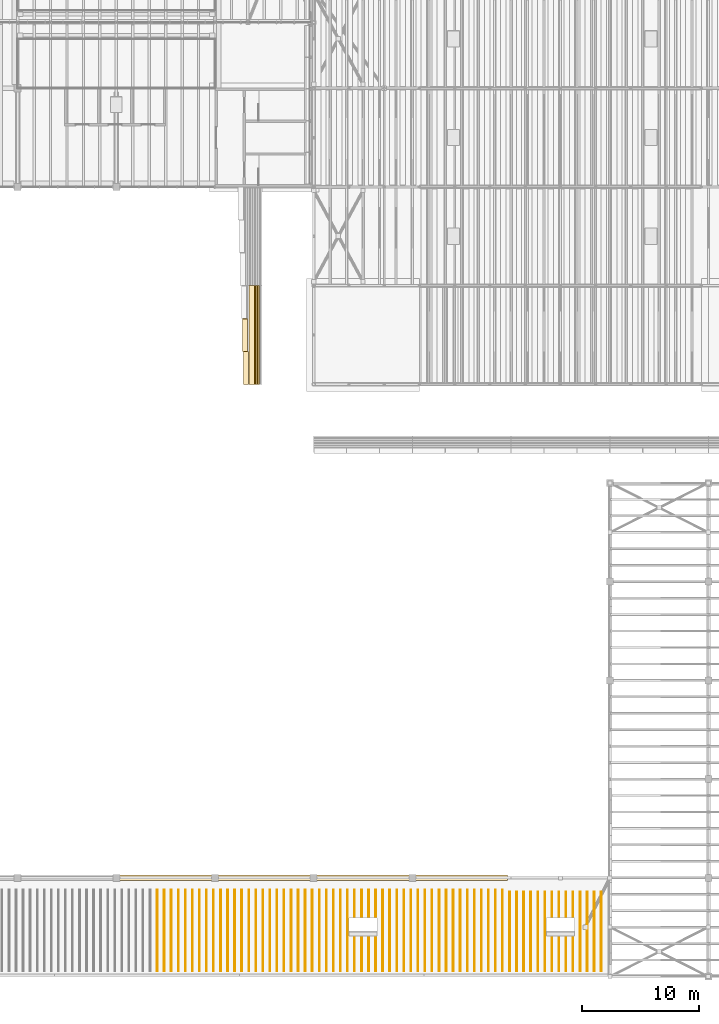
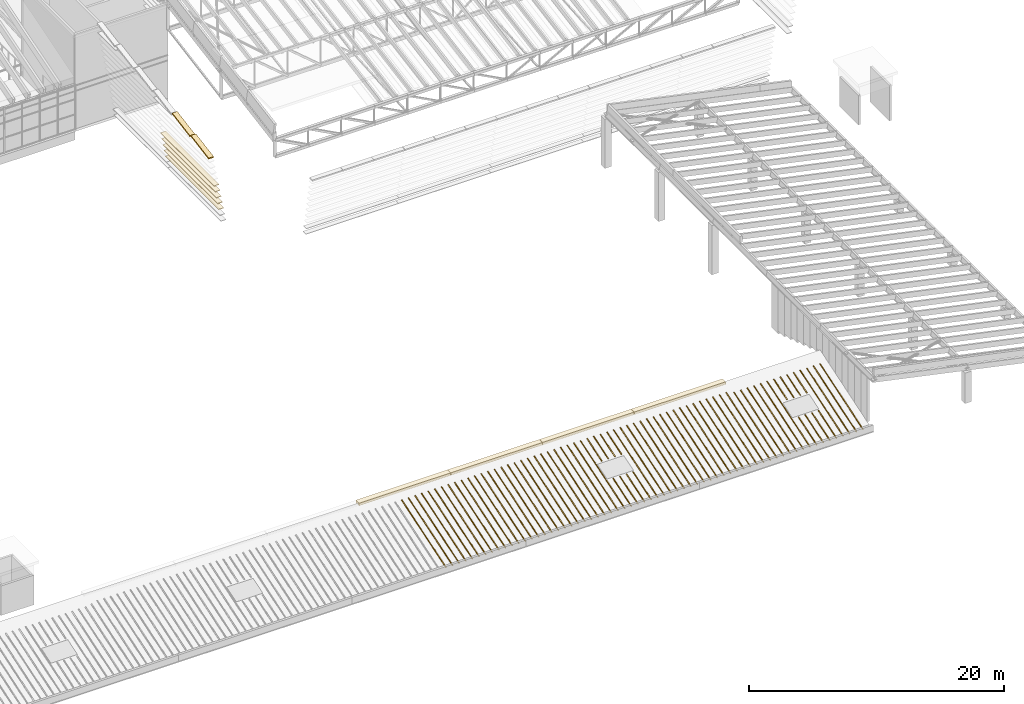
# One storey, part 74 of 91: 83 coverings.
"""IFC4 building model written with IfcOpenShell, lengths in metres."""

from ifc_helpers import new_model, si_unit, direction, frame, origin, origin_2d, place, context, subcontext, project, spatial, polyline, rectangle, outline, extrude, material, layer, layer_set, material_profile, profile_set, type_object, element, save


model = new_model("IFC4")

# Units and contexts
model_context = context("Model", 3, precision=1e-05, world=origin(), true_north=direction((0.0, 1.0)))
body_context = subcontext(model_context, "Body", "Model", "MODEL_VIEW")
ifc_project = project(units=[si_unit("LENGTHUNIT", "METRE"), si_unit("AREAUNIT", "SQUARE_METRE"), si_unit("VOLUMEUNIT", "CUBIC_METRE"), si_unit("PLANEANGLEUNIT", "RADIAN"), si_unit("MASSUNIT", "GRAM", prefix="KILO")], contexts=[model_context])

# Site, building, storey
site_placement = place(None, origin())
site = spatial("IfcSite", under=ifc_project, at=site_placement, CompositionType="ELEMENT")
building_placement = place(site_placement, origin())
building = spatial("IfcBuilding", under=site, at=building_placement, Name="Almond Square Museum", CompositionType="ELEMENT")
storey_placement = place(building_placement, frame((0.0, 0.0, 30.0)))
storey = spatial("IfcBuildingStorey", under=building, at=storey_placement, Name="L05", CompositionType="ELEMENT", Elevation=30.0)

# Coverings
ifc_material_1 = material(Name="Cedar timber louvre board", Category="wood")
ifc_material_profile_1 = material_profile(ifc_material_1, rectangle(XDim=0.449951171875, YDim=0.050048828125, at=origin_2d()))
ifc_profile_set_1 = profile_set([ifc_material_profile_1], Name="Cedar timber louvre board")
covering_type_1 = type_object("IfcCoveringType", Name="Louvre board 450 x 50", PredefinedType="CLADDING", material=ifc_profile_set_1)
for number, where, z_axis, x_axis, name in (
    (1, (101.9443359375, 50.39990234375, 1.300048828125), (0.0, 1.0, 0.0), (-1.0, 0.0, 0.0), "Louvre board W41.01"),
    (2, (101.838623046875, 50.39990234375, 1.89990234375), (0.0, 1.0, 0.0), (-1.0, 0.0, 0.0), "Louvre board W42.01"),
    (3, (101.732666015625, 50.39990234375, 2.5), (0.0, 1.0, 0.0), (-1.0, 0.0, 0.0), "Louvre board W43.01"),
    (4, (101.626953125, 50.39990234375, 3.10009765625), (0.0, 1.0, 0.0), (-1.0, 0.0, 0.0), "Louvre board W44.01"),
    (5, (101.521240234375, 50.39990234375, 3.699951171875), (0.0, 1.0, 0.0), (-1.0, 0.0, 0.0), "Louvre board W45.01"),
):
    element("IfcCovering", number, at=place(storey_placement, frame(where, z_axis=z_axis, x_axis=x_axis)), inside=storey, type_object=covering_type_1, Name=name, PredefinedType="CLADDING", context=body_context, shape_type="SweptSolid", body=[
        extrude(rectangle(XDim=0.449951171875, YDim=0.050048828125, at=origin_2d()), origin(), (0.0, 0.0, 1.0), 8.400146484375),
    ])
ifc_material_2 = material(Name="Cedar timber louvre board", Category="wood")
ifc_material_profile_2 = material_profile(ifc_material_2, rectangle(XDim=0.449951171875, YDim=0.139892578125, at=origin_2d()))
ifc_profile_set_2 = profile_set([ifc_material_profile_2], Name="Cedar timber louvre board")
covering_type_2 = type_object("IfcCoveringType", Name="Louvre skin fascia 450 x 140", PredefinedType="CLADDING", material=ifc_profile_set_2)
for number, where, z_axis, x_axis, name in (
    (6, (101.031005859375, 50.409912109375, 6.47998046875), (0.0, 0.984923430641, 0.172990854596), (-1.0, 0.0, 0.0), "Louvre skin fascia W01"),
    (7, (100.944580078125, 53.2099609375, 6.9697265625), (0.0, 0.984908689959, 0.173074759692), (-1.0, 0.0, 0.0), "Louvre skin fascia W02"),
):
    element("IfcCovering", number, at=place(storey_placement, frame(where, z_axis=z_axis, x_axis=x_axis)), inside=storey, type_object=covering_type_2, Name=name, PredefinedType="CLADDING", context=body_context, shape_type="SweptSolid", body=[
        extrude(rectangle(XDim=0.449951171875, YDim=0.139892578125, at=origin_2d()), origin(), (0.0, 0.0, 1.0), 2.822509765625),
    ])
ifc_material_3 = material(Name="Zinc standing seam cladding")
ifc_layer_1 = layer(ifc_material_3, 0.25)
ifc_layer_set_1 = layer_set([ifc_layer_1], Name="Zinc standing seam cladding")
covering_type_3 = type_object("IfcCoveringType", Name="Ridge cap, standing seam zinc", PredefinedType="CLADDING", material=ifc_layer_set_1)
for number, where, z_axis, x_axis, name in (
    (8, (94.199951171875, 8.39990234375, 2.609375), (0.0, 0.0, 1.0), (1.0, 0.0, 0.0), "Ridge cap 9"),
    (9, (102.514404296875, 8.39990234375, 2.609375), (0.0, 0.0, 1.0), (1.0, 0.0, 0.0), "Ridge cap 10"),
    (10, (110.82861328125, 8.39990234375, 2.609375), (0.0, 0.0, 1.0), (1.0, 0.0, 0.0), "Ridge cap 11"),
    (11, (119.142822265625, 8.39990234375, 2.609375), (0.0, 0.0, 1.0), (1.0, 0.0, 0.0), "Ridge cap 12"),
):
    element("IfcCovering", number, at=place(storey_placement, frame(where, z_axis=z_axis, x_axis=x_axis)), inside=storey, type_object=covering_type_3, Name=name, PredefinedType="CLADDING", context=body_context, shape_type="SweptSolid", body=[
        extrude(rectangle(XDim=8.294189453125, YDim=0.5, at=origin_2d()), origin(), (0.0, 0.0, 1.0), 0.25),
    ])
ifc_material_4 = material(Name="Zinc standing seam")
ifc_layer_2 = layer(ifc_material_4, 0.0400390625)
ifc_layer_set_2 = layer_set([ifc_layer_2], Name="Zinc standing seam")
covering_type_4 = type_object("IfcCoveringType", Name="Roof standing seam rib 60 x 40", PredefinedType="CLADDING", material=ifc_layer_set_2)
for number, where, z_axis, x_axis, name in (
    (12, (93.449951171875, 0.449951171875, 0.146240234375), (0.0, -0.30900221749, 0.951061317469), (1.0, 0.0, 0.0), "Roof standing seam rib"),
    (13, (94.050048828125, 0.449951171875, 0.146240234375), (0.0, -0.30900221749, 0.951061317469), (1.0, 0.0, 0.0), "Roof standing seam rib"),
    (14, (94.64990234375, 0.449951171875, 0.146240234375), (0.0, -0.30900221749, 0.951061317469), (1.0, 0.0, 0.0), "Roof standing seam rib"),
    (15, (95.25, 0.449951171875, 0.146240234375), (0.0, -0.30900221749, 0.951061317469), (1.0, 0.0, 0.0), "Roof standing seam rib"),
):
    element("IfcCovering", number, at=place(storey_placement, frame(where, z_axis=z_axis, x_axis=x_axis)), inside=storey, type_object=covering_type_4, Name=name, PredefinedType="CLADDING", context=body_context, shape_type="SweptSolid", body=[
        extrude(outline(polyline([(0.0, 0.0), (0.06005859375, 0.0), (0.06005859375, 7.307574227041238), (0.0, 7.307574227041238), (0.0, 0.0)])), origin(), (0.0, 0.0, 1.0), 0.0400390625),
    ])
covering_1_placement = place(storey_placement, frame((95.85009765625, 0.449951171875, 0.146240234375), z_axis=(0.0, -0.30900221749, 0.951061317469), x_axis=(1.0, 0.0, 0.0)))
element("IfcCovering", 16, at=covering_1_placement, inside=storey, type_object=covering_type_4, Name="Roof standing seam rib", PredefinedType="CLADDING", context=body_context, shape_type="SweptSolid", body=[
    extrude(outline(polyline([(0.0, 0.0), (0.059814453125, 0.0), (0.059814453125, 7.307574227041239), (0.0, 7.307574227041239), (0.0, 0.0)])), origin(), (0.0, 0.0, 1.0), 0.0400390625),
])
for number, where, z_axis, x_axis, name in (
    (17, (96.449951171875, 0.449951171875, 0.146240234375), (0.0, -0.30900221749, 0.951061317469), (1.0, 0.0, 0.0), "Roof standing seam rib"),
    (18, (97.050048828125, 0.449951171875, 0.146240234375), (0.0, -0.30900221749, 0.951061317469), (1.0, 0.0, 0.0), "Roof standing seam rib"),
    (19, (97.64990234375, 0.449951171875, 0.146240234375), (0.0, -0.30900221749, 0.951061317469), (1.0, 0.0, 0.0), "Roof standing seam rib"),
    (20, (98.25, 0.449951171875, 0.146240234375), (0.0, -0.30900221749, 0.951061317469), (1.0, 0.0, 0.0), "Roof standing seam rib"),
):
    element("IfcCovering", number, at=place(storey_placement, frame(where, z_axis=z_axis, x_axis=x_axis)), inside=storey, type_object=covering_type_4, Name=name, PredefinedType="CLADDING", context=body_context, shape_type="SweptSolid", body=[
        extrude(outline(polyline([(0.0, 0.0), (0.06005859375, 0.0), (0.06005859375, 7.307574227041238), (0.0, 7.307574227041238), (0.0, 0.0)])), origin(), (0.0, 0.0, 1.0), 0.0400390625),
    ])
covering_2_placement = place(storey_placement, frame((98.85009765625, 0.449951171875, 0.146240234375), z_axis=(0.0, -0.30900221749, 0.951061317469), x_axis=(1.0, 0.0, 0.0)))
element("IfcCovering", 21, at=covering_2_placement, inside=storey, type_object=covering_type_4, Name="Roof standing seam rib", PredefinedType="CLADDING", context=body_context, shape_type="SweptSolid", body=[
    extrude(outline(polyline([(0.0, 0.0), (0.059814453125, 0.0), (0.059814453125, 7.307574227041239), (0.0, 7.307574227041239), (0.0, 0.0)])), origin(), (0.0, 0.0, 1.0), 0.0400390625),
])
for number, where, z_axis, x_axis, name in (
    (22, (99.449951171875, 0.449951171875, 0.146240234375), (0.0, -0.30900221749, 0.951061317469), (1.0, 0.0, 0.0), "Roof standing seam rib"),
    (23, (100.050048828125, 0.449951171875, 0.146240234375), (0.0, -0.30900221749, 0.951061317469), (1.0, 0.0, 0.0), "Roof standing seam rib"),
    (24, (100.64990234375, 0.449951171875, 0.146240234375), (0.0, -0.30900221749, 0.951061317469), (1.0, 0.0, 0.0), "Roof standing seam rib"),
    (25, (101.25, 0.449951171875, 0.146240234375), (0.0, -0.30900221749, 0.951061317469), (1.0, 0.0, 0.0), "Roof standing seam rib"),
):
    element("IfcCovering", number, at=place(storey_placement, frame(where, z_axis=z_axis, x_axis=x_axis)), inside=storey, type_object=covering_type_4, Name=name, PredefinedType="CLADDING", context=body_context, shape_type="SweptSolid", body=[
        extrude(outline(polyline([(0.0, 0.0), (0.06005859375, 0.0), (0.06005859375, 7.307574227041238), (0.0, 7.307574227041238), (0.0, 0.0)])), origin(), (0.0, 0.0, 1.0), 0.0400390625),
    ])
covering_3_placement = place(storey_placement, frame((101.85009765625, 0.449951171875, 0.146240234375), z_axis=(0.0, -0.30900221749, 0.951061317469), x_axis=(1.0, 0.0, 0.0)))
element("IfcCovering", 26, at=covering_3_placement, inside=storey, type_object=covering_type_4, Name="Roof standing seam rib", PredefinedType="CLADDING", context=body_context, shape_type="SweptSolid", body=[
    extrude(outline(polyline([(0.0, 0.0), (0.059814453125, 0.0), (0.059814453125, 7.307574227041239), (0.0, 7.307574227041239), (0.0, 0.0)])), origin(), (0.0, 0.0, 1.0), 0.0400390625),
])
for number, where, z_axis, x_axis, name in (
    (27, (102.449951171875, 0.449951171875, 0.146240234375), (0.0, -0.30900221749, 0.951061317469), (1.0, 0.0, 0.0), "Roof standing seam rib"),
    (28, (103.050048828125, 0.449951171875, 0.146240234375), (0.0, -0.30900221749, 0.951061317469), (1.0, 0.0, 0.0), "Roof standing seam rib"),
    (29, (103.64990234375, 0.449951171875, 0.146240234375), (0.0, -0.30900221749, 0.951061317469), (1.0, 0.0, 0.0), "Roof standing seam rib"),
    (30, (104.25, 0.449951171875, 0.146240234375), (0.0, -0.30900221749, 0.951061317469), (1.0, 0.0, 0.0), "Roof standing seam rib"),
):
    element("IfcCovering", number, at=place(storey_placement, frame(where, z_axis=z_axis, x_axis=x_axis)), inside=storey, type_object=covering_type_4, Name=name, PredefinedType="CLADDING", context=body_context, shape_type="SweptSolid", body=[
        extrude(outline(polyline([(0.0, 0.0), (0.06005859375, 0.0), (0.06005859375, 7.307574227041238), (0.0, 7.307574227041238), (0.0, 0.0)])), origin(), (0.0, 0.0, 1.0), 0.0400390625),
    ])
covering_4_placement = place(storey_placement, frame((104.85009765625, 0.449951171875, 0.146240234375), z_axis=(0.0, -0.30900221749, 0.951061317469), x_axis=(1.0, 0.0, 0.0)))
element("IfcCovering", 31, at=covering_4_placement, inside=storey, type_object=covering_type_4, Name="Roof standing seam rib", PredefinedType="CLADDING", context=body_context, shape_type="SweptSolid", body=[
    extrude(outline(polyline([(0.0, 0.0), (0.059814453125, 0.0), (0.059814453125, 7.307574227041239), (0.0, 7.307574227041239), (0.0, 0.0)])), origin(), (0.0, 0.0, 1.0), 0.0400390625),
])
for number, where, z_axis, x_axis, name in (
    (32, (105.449951171875, 0.449951171875, 0.146240234375), (0.0, -0.30900221749, 0.951061317469), (1.0, 0.0, 0.0), "Roof standing seam rib"),
    (33, (106.050048828125, 0.449951171875, 0.146240234375), (0.0, -0.30900221749, 0.951061317469), (1.0, 0.0, 0.0), "Roof standing seam rib"),
    (34, (106.64990234375, 0.449951171875, 0.146240234375), (0.0, -0.30900221749, 0.951061317469), (1.0, 0.0, 0.0), "Roof standing seam rib"),
    (35, (107.25, 0.449951171875, 0.146240234375), (0.0, -0.30900221749, 0.951061317469), (1.0, 0.0, 0.0), "Roof standing seam rib"),
):
    element("IfcCovering", number, at=place(storey_placement, frame(where, z_axis=z_axis, x_axis=x_axis)), inside=storey, type_object=covering_type_4, Name=name, PredefinedType="CLADDING", context=body_context, shape_type="SweptSolid", body=[
        extrude(outline(polyline([(0.0, 0.0), (0.06005859375, 0.0), (0.06005859375, 7.307574227041238), (0.0, 7.307574227041238), (0.0, 0.0)])), origin(), (0.0, 0.0, 1.0), 0.0400390625),
    ])
covering_5_placement = place(storey_placement, frame((107.85009765625, 0.449951171875, 0.146240234375), z_axis=(0.0, -0.30900221749, 0.951061317469), x_axis=(1.0, 0.0, 0.0)))
element("IfcCovering", 36, at=covering_5_placement, inside=storey, type_object=covering_type_4, Name="Roof standing seam rib", PredefinedType="CLADDING", context=body_context, shape_type="SweptSolid", body=[
    extrude(outline(polyline([(0.0, 0.0), (0.059814453125, 0.0), (0.059814453125, 7.307574227041239), (0.0, 7.307574227041239), (0.0, 0.0)])), origin(), (0.0, 0.0, 1.0), 0.0400390625),
])
for number, where, z_axis, x_axis, name in (
    (37, (108.449951171875, 0.449951171875, 0.146240234375), (0.0, -0.30900221749, 0.951061317469), (1.0, 0.0, 0.0), "Roof standing seam rib"),
    (38, (109.050048828125, 0.449951171875, 0.146240234375), (0.0, -0.30900221749, 0.951061317469), (1.0, 0.0, 0.0), "Roof standing seam rib"),
):
    element("IfcCovering", number, at=place(storey_placement, frame(where, z_axis=z_axis, x_axis=x_axis)), inside=storey, type_object=covering_type_4, Name=name, PredefinedType="CLADDING", context=body_context, shape_type="SweptSolid", body=[
        extrude(outline(polyline([(0.0, 0.0), (0.06005859375, 0.0), (0.06005859375, 7.307574227041238), (0.0, 7.307574227041238), (0.0, 0.0)])), origin(), (0.0, 0.0, 1.0), 0.0400390625),
    ])
covering_6_placement = place(storey_placement, frame((109.699951171875, 5.10009765625, 1.656982421875), z_axis=(0.000379539092, -0.309004860118, 0.951060383137), x_axis=(0.999999927975, 0.000117279432, -0.00036096462)))
element("IfcCovering", 39, at=covering_6_placement, inside=storey, type_object=covering_type_4, Name="Roof standing seam rib", PredefinedType="CLADDING", context=body_context, shape_type="SweptSolid", body=[
    extrude(outline(polyline([(0.0, 0.0), (0.010009764904046994, 0.0), (0.010009730614830565, 2.4181770994561975), (-0.050048858809451396, 2.4181770994561975), (-0.05004886658086134, -4.889397127556355), (0.010009722843420617, -4.889397127556355), (0.010009718275587305, -1.892635596486676), (-4.662845968830798e-08, -1.892635596486676), (0.0, 0.0)])), origin(), (0.0, 0.0, 1.0), 0.0400390625),
])
covering_7_placement = place(storey_placement, frame((110.25, 0.449951171875, 0.146240234375), z_axis=(0.0, -0.309008701899, 0.951059210644), x_axis=(1.0, 0.0, 0.0)))
element("IfcCovering", 40, at=covering_7_placement, inside=storey, type_object=covering_type_4, Name="Roof standing seam rib", PredefinedType="CLADDING", context=body_context, shape_type="SweptSolid", body=[
    extrude(outline(polyline([(0.0, 0.0), (0.06005859375, 0.0), (0.06005859375, 2.9967615310938447), (0.0, 2.9967615310938447), (0.0, 0.0)])), origin(), (0.0, 0.0, 1.0), 0.0400390625),
])
covering_8_placement = place(storey_placement, frame((110.25, 5.10009765625, 1.656982421875), z_axis=(0.0, -0.309040414274, 0.95104890639), x_axis=(1.0, 0.0, 0.0)))
element("IfcCovering", 41, at=covering_8_placement, inside=storey, type_object=covering_type_4, Name="Roof standing seam rib", PredefinedType="CLADDING", context=body_context, shape_type="SweptSolid", body=[
    extrude(outline(polyline([(0.0, 0.0), (0.06005859375, 0.0), (0.06005859375, 2.4181771011438533), (0.0, 2.4181771011438533), (0.0, 0.0)])), origin(), (0.0, 0.0, 1.0), 0.0400390625),
])
covering_9_placement = place(storey_placement, frame((110.85009765625, 0.449951171875, 0.146240234375), z_axis=(0.0, -0.309008701899, 0.951059210644), x_axis=(1.0, 0.0, 0.0)))
element("IfcCovering", 42, at=covering_9_placement, inside=storey, type_object=covering_type_4, Name="Roof standing seam rib", PredefinedType="CLADDING", context=body_context, shape_type="SweptSolid", body=[
    extrude(outline(polyline([(0.0, 0.0), (0.059814453125, 0.0), (0.059814453125, 2.996761531093845), (0.0, 2.996761531093845), (0.0, 0.0)])), origin(), (0.0, 0.0, 1.0), 0.0400390625),
])
covering_10_placement = place(storey_placement, frame((110.85009765625, 5.10009765625, 1.656982421875), z_axis=(0.0, -0.309040414274, 0.95104890639), x_axis=(1.0, 0.0, 0.0)))
element("IfcCovering", 43, at=covering_10_placement, inside=storey, type_object=covering_type_4, Name="Roof standing seam rib", PredefinedType="CLADDING", context=body_context, shape_type="SweptSolid", body=[
    extrude(outline(polyline([(0.0, 0.0), (0.059814453125, 0.0), (0.059814453125, 2.418177101143853), (0.0, 2.418177101143853), (0.0, 0.0)])), origin(), (0.0, 0.0, 1.0), 0.0400390625),
])
covering_11_placement = place(storey_placement, frame((111.449951171875, 0.449951171875, 0.146240234375), z_axis=(0.0, -0.309008701899, 0.951059210644), x_axis=(1.0, 0.0, 0.0)))
element("IfcCovering", 44, at=covering_11_placement, inside=storey, type_object=covering_type_4, Name="Roof standing seam rib", PredefinedType="CLADDING", context=body_context, shape_type="SweptSolid", body=[
    extrude(outline(polyline([(0.0, 0.0), (0.06005859375, 0.0), (0.06005859375, 2.9967615310938447), (0.0, 2.9967615310938447), (0.0, 0.0)])), origin(), (0.0, 0.0, 1.0), 0.0400390625),
])
covering_12_placement = place(storey_placement, frame((111.449951171875, 5.10009765625, 1.656982421875), z_axis=(0.0, -0.309040414274, 0.95104890639), x_axis=(1.0, 0.0, 0.0)))
element("IfcCovering", 45, at=covering_12_placement, inside=storey, type_object=covering_type_4, Name="Roof standing seam rib", PredefinedType="CLADDING", context=body_context, shape_type="SweptSolid", body=[
    extrude(outline(polyline([(0.0, 0.0), (0.06005859375, 0.0), (0.06005859375, 2.4181771011438533), (0.0, 2.4181771011438533), (0.0, 0.0)])), origin(), (0.0, 0.0, 1.0), 0.0400390625),
])
covering_13_placement = place(storey_placement, frame((112.050048828125, 0.449951171875, 0.146240234375), z_axis=(0.0, -0.309008701899, 0.951059210644), x_axis=(1.0, 0.0, 0.0)))
element("IfcCovering", 46, at=covering_13_placement, inside=storey, type_object=covering_type_4, Name="Roof standing seam rib", PredefinedType="CLADDING", context=body_context, shape_type="SweptSolid", body=[
    extrude(outline(polyline([(0.0, 0.0), (0.06005859375, 0.0), (0.06005859375, 2.9967615310938447), (0.0, 2.9967615310938447), (0.0, 0.0)])), origin(), (0.0, 0.0, 1.0), 0.0400390625),
])
covering_14_placement = place(storey_placement, frame((112.050048828125, 5.10009765625, 1.656982421875), z_axis=(0.0, -0.309040414274, 0.95104890639), x_axis=(1.0, 0.0, 0.0)))
element("IfcCovering", 47, at=covering_14_placement, inside=storey, type_object=covering_type_4, Name="Roof standing seam rib", PredefinedType="CLADDING", context=body_context, shape_type="SweptSolid", body=[
    extrude(outline(polyline([(0.0, 0.0), (0.06005859375, 0.0), (0.06005859375, 2.4181771011438533), (0.0, 2.4181771011438533), (0.0, 0.0)])), origin(), (0.0, 0.0, 1.0), 0.0400390625),
])
for number, where, z_axis, x_axis, name in (
    (48, (112.64990234375, 0.449951171875, 0.146240234375), (0.0, -0.30900221749, 0.951061317469), (1.0, 0.0, 0.0), "Roof standing seam rib"),
    (49, (113.25, 0.449951171875, 0.146240234375), (0.0, -0.30900221749, 0.951061317469), (1.0, 0.0, 0.0), "Roof standing seam rib"),
):
    element("IfcCovering", number, at=place(storey_placement, frame(where, z_axis=z_axis, x_axis=x_axis)), inside=storey, type_object=covering_type_4, Name=name, PredefinedType="CLADDING", context=body_context, shape_type="SweptSolid", body=[
        extrude(outline(polyline([(0.0, 0.0), (0.06005859375, 0.0), (0.06005859375, 7.307574227041238), (0.0, 7.307574227041238), (0.0, 0.0)])), origin(), (0.0, 0.0, 1.0), 0.0400390625),
    ])
covering_15_placement = place(storey_placement, frame((113.85009765625, 0.449951171875, 0.146240234375), z_axis=(0.0, -0.30900221749, 0.951061317469), x_axis=(1.0, 0.0, 0.0)))
element("IfcCovering", 50, at=covering_15_placement, inside=storey, type_object=covering_type_4, Name="Roof standing seam rib", PredefinedType="CLADDING", context=body_context, shape_type="SweptSolid", body=[
    extrude(outline(polyline([(0.0, 0.0), (0.059814453125, 0.0), (0.059814453125, 7.307574227041239), (0.0, 7.307574227041239), (0.0, 0.0)])), origin(), (0.0, 0.0, 1.0), 0.0400390625),
])
for number, where, z_axis, x_axis, name in (
    (51, (114.449951171875, 0.449951171875, 0.146240234375), (0.0, -0.30900221749, 0.951061317469), (1.0, 0.0, 0.0), "Roof standing seam rib"),
    (52, (115.050048828125, 0.449951171875, 0.146240234375), (0.0, -0.30900221749, 0.951061317469), (1.0, 0.0, 0.0), "Roof standing seam rib"),
    (53, (115.64990234375, 0.449951171875, 0.146240234375), (0.0, -0.30900221749, 0.951061317469), (1.0, 0.0, 0.0), "Roof standing seam rib"),
    (54, (116.25, 0.449951171875, 0.146240234375), (0.0, -0.30900221749, 0.951061317469), (1.0, 0.0, 0.0), "Roof standing seam rib"),
):
    element("IfcCovering", number, at=place(storey_placement, frame(where, z_axis=z_axis, x_axis=x_axis)), inside=storey, type_object=covering_type_4, Name=name, PredefinedType="CLADDING", context=body_context, shape_type="SweptSolid", body=[
        extrude(outline(polyline([(0.0, 0.0), (0.06005859375, 0.0), (0.06005859375, 7.307574227041238), (0.0, 7.307574227041238), (0.0, 0.0)])), origin(), (0.0, 0.0, 1.0), 0.0400390625),
    ])
covering_16_placement = place(storey_placement, frame((116.85009765625, 0.449951171875, 0.146240234375), z_axis=(0.0, -0.30900221749, 0.951061317469), x_axis=(1.0, 0.0, 0.0)))
element("IfcCovering", 55, at=covering_16_placement, inside=storey, type_object=covering_type_4, Name="Roof standing seam rib", PredefinedType="CLADDING", context=body_context, shape_type="SweptSolid", body=[
    extrude(outline(polyline([(0.0, 0.0), (0.059814453125, 0.0), (0.059814453125, 7.307574227041239), (0.0, 7.307574227041239), (0.0, 0.0)])), origin(), (0.0, 0.0, 1.0), 0.0400390625),
])
for number, where, z_axis, x_axis, name in (
    (56, (117.449951171875, 0.449951171875, 0.146240234375), (0.0, -0.30900221749, 0.951061317469), (1.0, 0.0, 0.0), "Roof standing seam rib"),
    (57, (118.050048828125, 0.449951171875, 0.146240234375), (0.0, -0.30900221749, 0.951061317469), (1.0, 0.0, 0.0), "Roof standing seam rib"),
    (58, (118.64990234375, 0.449951171875, 0.146240234375), (0.0, -0.30900221749, 0.951061317469), (1.0, 0.0, 0.0), "Roof standing seam rib"),
    (59, (119.25, 0.449951171875, 0.146240234375), (0.0, -0.30900221749, 0.951061317469), (1.0, 0.0, 0.0), "Roof standing seam rib"),
):
    element("IfcCovering", number, at=place(storey_placement, frame(where, z_axis=z_axis, x_axis=x_axis)), inside=storey, type_object=covering_type_4, Name=name, PredefinedType="CLADDING", context=body_context, shape_type="SweptSolid", body=[
        extrude(outline(polyline([(0.0, 0.0), (0.06005859375, 0.0), (0.06005859375, 7.307574227041238), (0.0, 7.307574227041238), (0.0, 0.0)])), origin(), (0.0, 0.0, 1.0), 0.0400390625),
    ])
covering_17_placement = place(storey_placement, frame((119.85009765625, 0.449951171875, 0.146240234375), z_axis=(0.0, -0.30900221749, 0.951061317469), x_axis=(1.0, 0.0, 0.0)))
element("IfcCovering", 60, at=covering_17_placement, inside=storey, type_object=covering_type_4, Name="Roof standing seam rib", PredefinedType="CLADDING", context=body_context, shape_type="SweptSolid", body=[
    extrude(outline(polyline([(0.0, 0.0), (0.059814453125, 0.0), (0.059814453125, 7.307574227041239), (0.0, 7.307574227041239), (0.0, 0.0)])), origin(), (0.0, 0.0, 1.0), 0.0400390625),
])
for number, where, z_axis, x_axis, name in (
    (61, (120.449951171875, 0.449951171875, 0.146240234375), (0.0, -0.30900221749, 0.951061317469), (1.0, 0.0, 0.0), "Roof standing seam rib"),
    (62, (121.050048828125, 0.449951171875, 0.146240234375), (0.0, -0.30900221749, 0.951061317469), (1.0, 0.0, 0.0), "Roof standing seam rib"),
    (63, (121.64990234375, 0.449951171875, 0.146240234375), (0.0, -0.30900221749, 0.951061317469), (1.0, 0.0, 0.0), "Roof standing seam rib"),
    (64, (122.25, 0.449951171875, 0.146240234375), (0.0, -0.30900221749, 0.951061317469), (1.0, 0.0, 0.0), "Roof standing seam rib"),
):
    element("IfcCovering", number, at=place(storey_placement, frame(where, z_axis=z_axis, x_axis=x_axis)), inside=storey, type_object=covering_type_4, Name=name, PredefinedType="CLADDING", context=body_context, shape_type="SweptSolid", body=[
        extrude(outline(polyline([(0.0, 0.0), (0.06005859375, 0.0), (0.06005859375, 7.307574227041238), (0.0, 7.307574227041238), (0.0, 0.0)])), origin(), (0.0, 0.0, 1.0), 0.0400390625),
    ])
covering_18_placement = place(storey_placement, frame((122.85009765625, 0.449951171875, 0.146240234375), z_axis=(0.0, -0.30900221749, 0.951061317469), x_axis=(1.0, 0.0, 0.0)))
element("IfcCovering", 65, at=covering_18_placement, inside=storey, type_object=covering_type_4, Name="Roof standing seam rib", PredefinedType="CLADDING", context=body_context, shape_type="SweptSolid", body=[
    extrude(outline(polyline([(0.0, 0.0), (0.059814453125, 0.0), (0.059814453125, 7.307574227041239), (0.0, 7.307574227041239), (0.0, 0.0)])), origin(), (0.0, 0.0, 1.0), 0.0400390625),
])
covering_19_placement = place(storey_placement, frame((123.510009765625, 7.204345703125, 2.3408203125), z_axis=(0.001067121117, -0.30901830177, 0.95105549282), x_axis=(-0.993805220217, 0.10536392127, 0.035350082943)))
element("IfcCovering", 66, at=covering_19_placement, inside=storey, type_object=covering_type_4, Name="Roof standing seam rib", PredefinedType="CLADDING", context=body_context, shape_type="SweptSolid", body=[
    extrude(outline(polyline([(0.0, 0.0), (0.06043303146310685, -2.168404344971009e-19), (-0.7295615374171167, 7.064656693774146), (-0.7892480814047571, 7.057982336686204), (0.0, 0.0)])), origin(), (0.0, 0.0, 1.0), 0.0400390625),
])
for number, where, z_axis, x_axis, name in (
    (67, (124.050048828125, 0.449951171875, 0.146240234375), (0.0, -0.309005178422, 0.95106035545), (1.0, 0.0, 0.0), "Roof standing seam rib"),
    (68, (124.64990234375, 0.449951171875, 0.146240234375), (0.0, -0.309005178422, 0.95106035545), (1.0, 0.0, 0.0), "Roof standing seam rib"),
    (69, (125.25, 0.449951171875, 0.146240234375), (0.0, -0.309005178422, 0.95106035545), (1.0, 0.0, 0.0), "Roof standing seam rib"),
):
    element("IfcCovering", number, at=place(storey_placement, frame(where, z_axis=z_axis, x_axis=x_axis)), inside=storey, type_object=covering_type_4, Name=name, PredefinedType="CLADDING", context=body_context, shape_type="SweptSolid", body=[
        extrude(outline(polyline([(0.0, 0.0), (0.06005859375, 0.0), (0.06005859375, 7.0973413635845155), (0.0, 7.0973413635845155), (0.0, 0.0)])), origin(), (0.0, 0.0, 1.0), 0.0400390625),
    ])
covering_20_placement = place(storey_placement, frame((125.85009765625, 0.449951171875, 0.146240234375), z_axis=(0.0, -0.309005178422, 0.95106035545), x_axis=(1.0, 0.0, 0.0)))
element("IfcCovering", 70, at=covering_20_placement, inside=storey, type_object=covering_type_4, Name="Roof standing seam rib", PredefinedType="CLADDING", context=body_context, shape_type="SweptSolid", body=[
    extrude(outline(polyline([(0.0, 0.0), (0.059814453125, 0.0), (0.059814453125, 7.0973413635845155), (0.0, 7.0973413635845155), (0.0, 0.0)])), origin(), (0.0, 0.0, 1.0), 0.0400390625),
])
covering_21_placement = place(storey_placement, frame((126.5, 5.10009765625, 1.656982421875), z_axis=(0.000498861945, -0.309008025181, 0.951059299682), x_axis=(0.999999875568, 0.000154152364, -0.000474447352)))
element("IfcCovering", 71, at=covering_21_placement, inside=storey, type_object=covering_type_4, Name="Roof standing seam rib", PredefinedType="CLADDING", context=body_context, shape_type="SweptSolid", body=[
    extrude(outline(polyline([(0.0, 0.0), (0.010009764379468567, 2.713152409173931e-22), (0.010009711677665335, 2.207944236393545), (-0.05004887459914607, 2.207944236393545), (-0.050048885340165536, -4.889397127158312), (0.010009700936645872, -4.889397127158312), (0.010009699933351789, -1.8926355960651413), (-6.444611677793683e-08, -1.8926355960651413), (0.0, 0.0)])), origin(), (0.0, 0.0, 1.0), 0.0400390625),
])
covering_22_placement = place(storey_placement, frame((127.050048828125, 5.10009765625, 1.656982421875), z_axis=(0.0, -0.309053568857, 0.951044631748), x_axis=(1.0, 0.0, 0.0)))
element("IfcCovering", 72, at=covering_22_placement, inside=storey, type_object=covering_type_4, Name="Roof standing seam rib", PredefinedType="CLADDING", context=body_context, shape_type="SweptSolid", body=[
    extrude(outline(polyline([(0.0, 0.0), (0.06005859375, 0.0), (0.06005859375, 2.207944238920934), (0.0, 2.207944238920934), (0.0, 0.0)])), origin(), (0.0, 0.0, 1.0), 0.0400390625),
])
covering_23_placement = place(storey_placement, frame((127.050048828125, 3.300048828125, 1.072265625), z_axis=(0.0, -0.309008701899, 0.951059210644), x_axis=(0.0, -0.951059210644, -0.309008701899)))
element("IfcCovering", 73, at=covering_23_placement, inside=storey, type_object=covering_type_4, Name="Roof standing seam rib", PredefinedType="CLADDING", context=body_context, shape_type="SweptSolid", body=[
    extrude(outline(polyline([(0.0, 0.0), (2.996761531093845, 0.0), (2.996761531093845, 0.06005859374999999), (0.0, 0.06005859374999999), (0.0, 0.0)])), origin(), (0.0, 0.0, 1.0), 0.0400390625),
])
covering_24_placement = place(storey_placement, frame((127.64990234375, 5.10009765625, 1.656982421875), z_axis=(0.0, -0.309053568857, 0.951044631748), x_axis=(1.0, 0.0, 0.0)))
element("IfcCovering", 74, at=covering_24_placement, inside=storey, type_object=covering_type_4, Name="Roof standing seam rib", PredefinedType="CLADDING", context=body_context, shape_type="SweptSolid", body=[
    extrude(outline(polyline([(0.0, 0.0), (0.06005859375, 0.0), (0.06005859375, 2.207944238920934), (0.0, 2.207944238920934), (0.0, 0.0)])), origin(), (0.0, 0.0, 1.0), 0.0400390625),
])
covering_25_placement = place(storey_placement, frame((127.64990234375, 3.300048828125, 1.072265625), z_axis=(0.0, -0.309008701899, 0.951059210644), x_axis=(0.0, -0.951059210644, -0.309008701899)))
element("IfcCovering", 75, at=covering_25_placement, inside=storey, type_object=covering_type_4, Name="Roof standing seam rib", PredefinedType="CLADDING", context=body_context, shape_type="SweptSolid", body=[
    extrude(outline(polyline([(0.0, 0.0), (2.996761531093845, 0.0), (2.996761531093845, 0.06005859374999999), (0.0, 0.06005859374999999), (0.0, 0.0)])), origin(), (0.0, 0.0, 1.0), 0.0400390625),
])
covering_26_placement = place(storey_placement, frame((128.25, 5.10009765625, 1.656982421875), z_axis=(0.0, -0.309053568857, 0.951044631748), x_axis=(1.0, 0.0, 0.0)))
element("IfcCovering", 76, at=covering_26_placement, inside=storey, type_object=covering_type_4, Name="Roof standing seam rib", PredefinedType="CLADDING", context=body_context, shape_type="SweptSolid", body=[
    extrude(outline(polyline([(0.0, 0.0), (0.06005859375, 0.0), (0.06005859375, 2.207944238920934), (0.0, 2.207944238920934), (0.0, 0.0)])), origin(), (0.0, 0.0, 1.0), 0.0400390625),
])
covering_27_placement = place(storey_placement, frame((128.25, 3.300048828125, 1.072265625), z_axis=(0.0, -0.309008701899, 0.951059210644), x_axis=(0.0, -0.951059210644, -0.309008701899)))
element("IfcCovering", 77, at=covering_27_placement, inside=storey, type_object=covering_type_4, Name="Roof standing seam rib", PredefinedType="CLADDING", context=body_context, shape_type="SweptSolid", body=[
    extrude(outline(polyline([(0.0, 0.0), (2.996761531093845, 0.0), (2.996761531093845, 0.06005859374999999), (0.0, 0.06005859374999999), (0.0, 0.0)])), origin(), (0.0, 0.0, 1.0), 0.0400390625),
])
covering_28_placement = place(storey_placement, frame((128.85009765625, 5.10009765625, 1.656982421875), z_axis=(0.0, -0.309053568857, 0.951044631748), x_axis=(1.0, 0.0, 0.0)))
element("IfcCovering", 78, at=covering_28_placement, inside=storey, type_object=covering_type_4, Name="Roof standing seam rib", PredefinedType="CLADDING", context=body_context, shape_type="SweptSolid", body=[
    extrude(outline(polyline([(0.0, 0.0), (0.059814453125, 0.0), (0.059814453125, 2.207944238920934), (0.0, 2.207944238920934), (0.0, 0.0)])), origin(), (0.0, 0.0, 1.0), 0.0400390625),
])
covering_29_placement = place(storey_placement, frame((128.85009765625, 3.300048828125, 1.072265625), z_axis=(0.0, -0.309008701899, 0.951059210644), x_axis=(0.0, -0.951059210644, -0.309008701899)))
element("IfcCovering", 79, at=covering_29_placement, inside=storey, type_object=covering_type_4, Name="Roof standing seam rib", PredefinedType="CLADDING", context=body_context, shape_type="SweptSolid", body=[
    extrude(outline(polyline([(0.0, 0.0), (2.996761531093845, 0.0), (2.996761531093845, 0.059814453125), (0.0, 0.059814453125), (0.0, 0.0)])), origin(), (0.0, 0.0, 1.0), 0.0400390625),
])
for number, where, z_axis, x_axis, name in (
    (80, (129.449951171875, 0.449951171875, 0.146240234375), (0.0, -0.309005178422, 0.95106035545), (1.0, 0.0, 0.0), "Roof standing seam rib"),
    (81, (130.050048828125, 0.449951171875, 0.146240234375), (0.0, -0.309005178422, 0.95106035545), (1.0, 0.0, 0.0), "Roof standing seam rib"),
    (82, (130.64990234375, 0.449951171875, 0.146240234375), (0.0, -0.309005178422, 0.95106035545), (1.0, 0.0, 0.0), "Roof standing seam rib"),
    (83, (131.25, 0.449951171875, 0.146240234375), (0.0, -0.309005178422, 0.95106035545), (1.0, 0.0, 0.0), "Roof standing seam rib"),
):
    element("IfcCovering", number, at=place(storey_placement, frame(where, z_axis=z_axis, x_axis=x_axis)), inside=storey, type_object=covering_type_4, Name=name, PredefinedType="CLADDING", context=body_context, shape_type="SweptSolid", body=[
        extrude(outline(polyline([(0.0, 0.0), (0.06005859375, 0.0), (0.06005859375, 7.0973413635845155), (0.0, 7.0973413635845155), (0.0, 0.0)])), origin(), (0.0, 0.0, 1.0), 0.0400390625),
    ])

save(model, "model.ifc")
